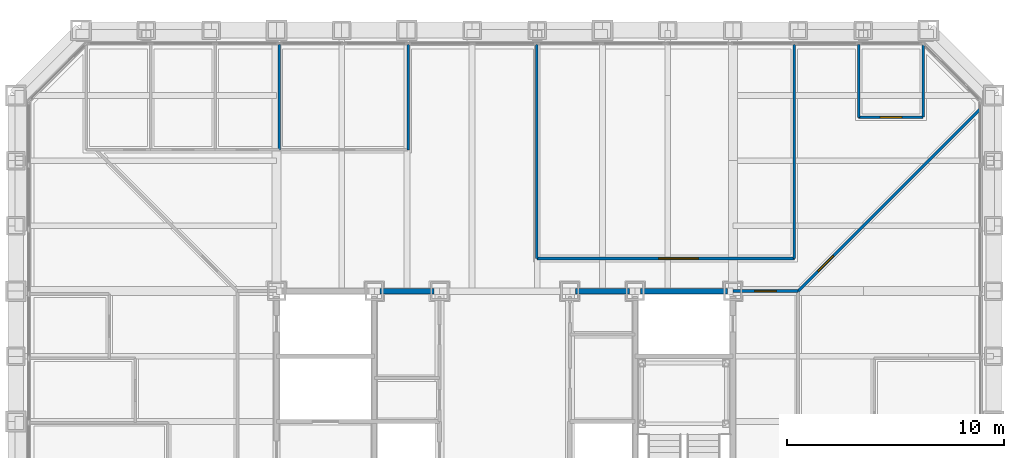
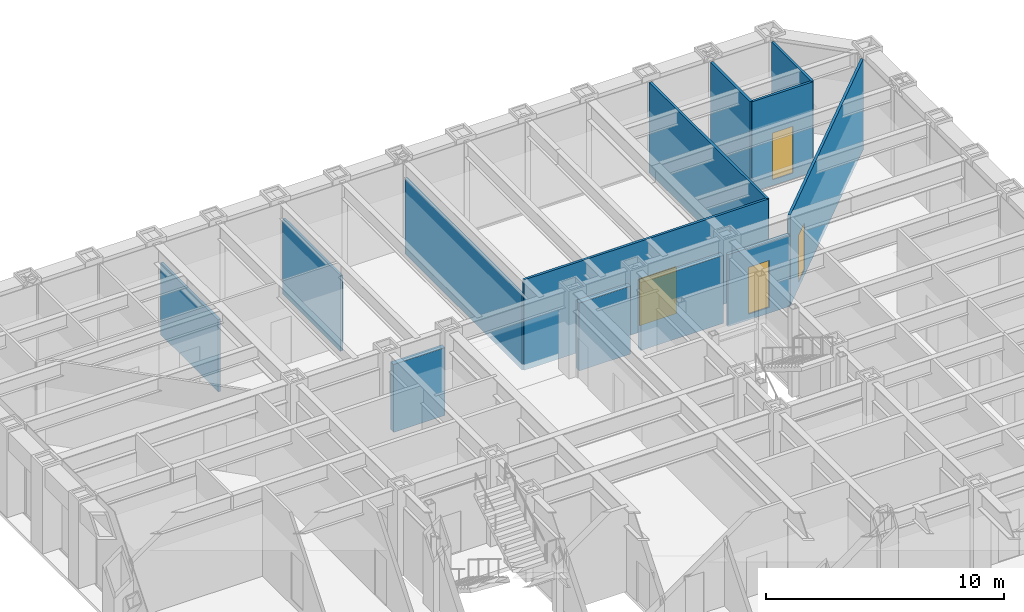
# One storey, part 11 of 17: 13 walls, 4 doors, 4 openings.
"""IFC4 building model written with IfcOpenShell, lengths in metres."""

from ifc_helpers import new_model, si_unit, direction, frame, frame_2d, origin, place, context, subcontext, project, spatial, rectangle, extrude, material, layer, layer_set, type_object, element, fill, save


model = new_model("IFC4")

# Units and contexts
model_context = context("Model", 3, precision=1e-05, world=origin(), true_north=direction((0.0, 1.0)))
body_context = subcontext(model_context, "Body", "Model", "MODEL_VIEW")
ifc_project = project(units=[si_unit("LENGTHUNIT", "METRE"), si_unit("AREAUNIT", "SQUARE_METRE"), si_unit("VOLUMEUNIT", "CUBIC_METRE"), si_unit("PLANEANGLEUNIT", "RADIAN"), si_unit("MASSUNIT", "GRAM", prefix="KILO")], contexts=[model_context])

# Site, building, storey
site_placement = place(None, origin())
site = spatial("IfcSite", under=ifc_project, at=site_placement, CompositionType="ELEMENT")
building_placement = place(site_placement, origin())
building = spatial("IfcBuilding", under=site, at=building_placement, Name="Chuquiago Exchange Tower", CompositionType="ELEMENT")
storey_placement = place(building_placement, frame((0.0, 0.0, 91.800048828125)))
storey = spatial("IfcBuildingStorey", under=building, at=storey_placement, Name="L19", CompositionType="ELEMENT", Elevation=91.800048828125)

# Walls
ifc_material_1 = material(Name="Concrete masonry, fully grouted", Category="masonry")
ifc_layer_1 = layer(ifc_material_1, 0.25)
ifc_layer_set_1 = layer_set([ifc_layer_1], Name="W1 core wall 250")
wall_type_1 = type_object("IfcWallType", Name="W1 core wall 250", PredefinedType="SOLIDWALL", material=ifc_layer_set_1)
for number, where, z_axis, x_axis, name in (
    (1, (16.75, 33.0, 0.0), (0.0, 0.0, 1.0), (1.0, 0.0, 0.0), "CW-L19-11-1"),
    (2, (25.75, 33.0, 0.0), (0.0, 0.0, 1.0), (1.0, 0.0, 0.0), "CW-L19-12-0"),
):
    element("IfcWall", number, at=place(storey_placement, frame(where, z_axis=z_axis, x_axis=x_axis)), inside=storey, type_object=wall_type_1, Name=name, PredefinedType="SOLIDWALL", context=body_context, shape_type="SweptSolid", body=[
        extrude(rectangle(XDim=2.5, YDim=0.25, at=frame_2d((1.25, 0.0))), origin(), (0.0, 0.0, 1.0), 3.4814453125),
    ])
wall_1_placement = place(storey_placement, frame((28.75, 33.0, 0.0), z_axis=(0.0, 0.0, 1.0), x_axis=(1.0, 0.0, 0.0)))
element("IfcWall", 3, at=wall_1_placement, inside=storey, type_object=wall_type_1, Name="CW-L19-12-1", PredefinedType="SOLIDWALL", context=body_context, shape_type="SweptSolid", body=[
    extrude(rectangle(XDim=4.0, YDim=0.25, at=frame_2d((2.0, 0.0))), origin(), (0.0, 0.0, 1.0), 3.4814453125),
])

# Wall, opening, door
ifc_material_2 = material(Name="Gypsum board on steel studs, acoustic insulation", Category="steel")
ifc_layer_2 = layer(ifc_material_2, 0.14990234375)
ifc_layer_set_2 = layer_set([ifc_layer_2], Name="W11 corridor wall 150")
wall_type_2 = type_object("IfcWallType", Name="W11 corridor wall 150", PredefinedType="PARTITIONING", material=ifc_layer_set_2)
wall_2_placement = place(storey_placement, frame((33.0, 33.0, -0.300048828125), z_axis=(0.0, 0.0, 1.0), x_axis=(1.0, 0.0, 0.0)))
wall_2 = element("IfcWall", 4, at=wall_2_placement, inside=storey, type_object=wall_type_2, Name="PW-L19-GEN0", PredefinedType="PARTITIONING", context=body_context, shape_type="SweptSolid", body=[
    extrude(rectangle(XDim=3.0, YDim=0.14990234375, at=frame_2d((1.5, 0.0))), origin(), (0.0, 0.0, 1.0), 3.692626953125),
])
opening_1_placement = place(wall_2_placement, frame((1.0, 0.0, 0.300048828125)))
opening_1 = element("IfcOpeningElement", 5, at=opening_1_placement, cuts=wall_2, Name="Opening L19-046", PredefinedType="OPENING", context=body_context, shape_type="SweptSolid", body=[
    extrude(rectangle(XDim=1.0, YDim=2.39990234375, at=frame_2d((0.5, 1.199951171875))), frame((0.0, 0.0849609375, 0.0), z_axis=(0.0, -1.0, 0.0), x_axis=(1.0, 0.0, 0.0)), (0.0, 0.0, 1.0), 0.169921875),
])
ifc_material_3 = material(Name="Timber door, laminate faced", Category="wood")
door_type_1 = type_object("IfcDoorType", Name="D9 room door 1000x2400", OperationType="SINGLE_SWING_LEFT", PredefinedType="DOOR", material=ifc_material_3)
door_1_placement = place(opening_1_placement, origin())
door_1 = element("IfcDoor", 6, at=door_1_placement, inside=storey, type_object=door_type_1, Name="Team area door", OperationType="SINGLE_SWING_LEFT", OverallHeight=2.39990234375, OverallWidth=1.0, PredefinedType="DOOR", context=body_context, shape_type="SweptSolid", body=[
    extrude(rectangle(XDim=1.0, YDim=2.39990234375, at=frame_2d((0.5, 1.199951171875))), frame((0.0, 0.02490234375, 0.0), z_axis=(0.0, -1.0, 0.0), x_axis=(1.0, 0.0, 0.0)), (0.0, 0.0, 1.0), 0.050048828125),
])
fill(opening_1, door_1)

# Walls
ifc_material_4 = material(Name="Gypsum board on steel studs", Category="steel")
ifc_layer_3 = layer(ifc_material_4, 0.1201171875)
ifc_layer_set_3 = layer_set([ifc_layer_3], Name="W4 partition 120")
wall_type_3 = type_object("IfcWallType", Name="W4 partition 120", PredefinedType="PARTITIONING", material=ifc_layer_set_3)
wall_3_placement = place(storey_placement, frame((12.1337890625, 44.342529296875, -0.300048828125), z_axis=(0.0, 0.0, 1.0), x_axis=(0.0, -1.0, 0.0)))
element("IfcWall", 7, at=wall_3_placement, inside=storey, type_object=wall_type_3, Name="PW-L19-N01213", PredefinedType="PARTITIONING", context=body_context, shape_type="SweptSolid", body=[
    extrude(rectangle(XDim=4.842529296875, YDim=0.1201171875, at=frame_2d((2.42138671875, 0.0))), origin(), (0.0, 0.0, 1.0), 3.692626953125),
])
wall_4_placement = place(storey_placement, frame((18.057373046875, 44.342529296875, -0.300048828125), z_axis=(0.0, 0.0, 1.0), x_axis=(0.0, -1.0, 0.0)))
element("IfcWall", 8, at=wall_4_placement, inside=storey, type_object=wall_type_3, Name="PW-L19-N01806", PredefinedType="PARTITIONING", context=body_context, shape_type="SweptSolid", body=[
    extrude(rectangle(XDim=4.842529296875, YDim=0.1201171875, at=frame_2d((2.42138671875, 0.0))), origin(), (0.0, 0.0, 1.0), 3.8779296875),
])
wall_5_placement = place(storey_placement, frame((23.98095703125, 44.342529296875, -0.300048828125), z_axis=(0.0, 0.0, 1.0), x_axis=(0.0, -1.0, 0.0)))
element("IfcWall", 9, at=wall_5_placement, inside=storey, type_object=wall_type_3, Name="PW-L19-N02398", PredefinedType="PARTITIONING", context=body_context, shape_type="SweptSolid", body=[
    extrude(rectangle(XDim=9.842529296875, YDim=0.1201171875, at=frame_2d((4.92138671875, 0.0))), origin(), (0.0, 0.0, 1.0), 3.8779296875),
])
wall_6_placement = place(storey_placement, frame((35.827880859375, 44.342529296875, -0.300048828125), z_axis=(0.0, 0.0, 1.0), x_axis=(0.0, -1.0, 0.0)))
element("IfcWall", 10, at=wall_6_placement, inside=storey, type_object=wall_type_3, Name="PW-L19-N03583", PredefinedType="PARTITIONING", context=body_context, shape_type="SweptSolid", body=[
    extrude(rectangle(XDim=9.842529296875, YDim=0.1201171875, at=frame_2d((4.92138671875, 0.0))), origin(), (0.0, 0.0, 1.0), 4.639892578125),
])
wall_7_placement = place(storey_placement, frame((38.789794921875, 44.342529296875, -0.300048828125), z_axis=(0.0, 0.0, 1.0), x_axis=(0.0, -1.0, 0.0)))
element("IfcWall", 11, at=wall_7_placement, inside=storey, type_object=wall_type_3, Name="PW-L19-N03879", PredefinedType="PARTITIONING", context=body_context, shape_type="SweptSolid", body=[
    extrude(rectangle(XDim=3.342529296875, YDim=0.1201171875, at=frame_2d((1.67138671875, 0.0))), origin(), (0.0, 0.0, 1.0), 4.639892578125),
])
wall_8_placement = place(storey_placement, frame((41.75146484375, 44.333984375, -0.300048828125), z_axis=(0.0, 0.0, 1.0), x_axis=(0.0, -1.0, 0.0)))
element("IfcWall", 12, at=wall_8_placement, inside=storey, type_object=wall_type_3, Name="PW-L19-N04175", PredefinedType="PARTITIONING", context=body_context, shape_type="SweptSolid", body=[
    extrude(rectangle(XDim=3.333984375, YDim=0.1201171875, at=frame_2d((1.6669921875, 0.0))), origin(), (0.0, 0.0, 1.0), 4.639892578125),
])

# Wall, opening, door
wall_9_placement = place(storey_placement, frame((23.98095703125, 34.5, -0.300048828125), z_axis=(0.0, 0.0, 1.0), x_axis=(1.0, 0.0, 0.0)))
wall_9 = element("IfcWall", 13, at=wall_9_placement, inside=storey, type_object=wall_type_3, Name="PW-L19-NF02398", PredefinedType="PARTITIONING", context=body_context, shape_type="SweptSolid", body=[
    extrude(rectangle(XDim=11.846923828125, YDim=0.1201171875, at=frame_2d((5.92333984375, 0.0))), origin(), (0.0, 0.0, 1.0), 4.639892578125),
])
opening_2_placement = place(wall_9_placement, frame((5.615966796875, 0.0, 0.300048828125)))
opening_2 = element("IfcOpeningElement", 14, at=opening_2_placement, cuts=wall_9, Name="Opening L19-037", PredefinedType="OPENING", context=body_context, shape_type="SweptSolid", body=[
    extrude(rectangle(XDim=1.800048828125, YDim=2.39990234375, at=frame_2d((0.89990234375, 1.199951171875))), frame((0.0, 0.070068359375, 0.0), z_axis=(0.0, -1.0, 0.0), x_axis=(1.0, 0.0, 0.0)), (0.0, 0.0, 1.0), 0.14013671875),
])
ifc_material_5 = material(Name="Timber door pair, laminate faced", Category="wood")
door_type_2 = type_object("IfcDoorType", Name="D15 double room door 1800x2400", OperationType="DOUBLE_DOOR_DOUBLE_SWING", PredefinedType="DOOR", material=ifc_material_5)
door_2_placement = place(opening_2_placement, origin())
door_2 = element("IfcDoor", 15, at=door_2_placement, inside=storey, type_object=door_type_2, Name="Trading room door", OperationType="DOUBLE_DOOR_DOUBLE_SWING", OverallHeight=2.39990234375, OverallWidth=1.800048828125, PredefinedType="DOOR", context=body_context, shape_type="SweptSolid", body=[
    extrude(rectangle(XDim=1.800048828125, YDim=2.39990234375, at=frame_2d((0.89990234375, 1.199951171875))), frame((0.0, 0.02490234375, 0.0), z_axis=(0.0, -1.0, 0.0), x_axis=(1.0, 0.0, 0.0)), (0.0, 0.0, 1.0), 0.050048828125),
])
fill(opening_2, door_2)

wall_10_placement = place(storey_placement, frame((38.789794921875, 41.0, -0.300048828125), z_axis=(0.0, 0.0, 1.0), x_axis=(1.0, 0.0, 0.0)))
wall_10 = element("IfcWall", 16, at=wall_10_placement, inside=storey, type_object=wall_type_3, Name="PW-L19-NF03879", PredefinedType="PARTITIONING", context=body_context, shape_type="SweptSolid", body=[
    extrude(rectangle(XDim=2.961669921875, YDim=0.1201171875, at=frame_2d((1.48095703125, 0.0))), origin(), (0.0, 0.0, 1.0), 4.639892578125),
])
opening_3_placement = place(wall_10_placement, frame((0.98095703125, 0.0, 0.300048828125)))
opening_3 = element("IfcOpeningElement", 17, at=opening_3_placement, cuts=wall_10, Name="Opening L19-038", PredefinedType="OPENING", context=body_context, shape_type="SweptSolid", body=[
    extrude(rectangle(XDim=1.0, YDim=2.39990234375, at=frame_2d((0.5, 1.199951171875))), frame((0.0, 0.070068359375, 0.0), z_axis=(0.0, -1.0, 0.0), x_axis=(1.0, 0.0, 0.0)), (0.0, 0.0, 1.0), 0.14013671875),
])
door_3_placement = place(opening_3_placement, origin())
door_3 = element("IfcDoor", 18, at=door_3_placement, inside=storey, type_object=door_type_1, Name="Store door", OperationType="SINGLE_SWING_RIGHT", OverallHeight=2.39990234375, OverallWidth=1.0, PredefinedType="DOOR", context=body_context, shape_type="SweptSolid", body=[
    extrude(rectangle(XDim=1.0, YDim=2.39990234375, at=frame_2d((0.5, 1.199951171875))), frame((0.0, 0.02490234375, 0.0), z_axis=(0.0, -1.0, 0.0), x_axis=(1.0, 0.0, 0.0)), (0.0, 0.0, 1.0), 0.050048828125),
])
fill(opening_3, door_3)

wall_11_placement = place(storey_placement, frame((36.0, 33.0, -0.300048828125), z_axis=(0.0, 0.0, 1.0), x_axis=(0.707106781187, 0.707106781187, 0.0)))
wall_11 = element("IfcWall", 19, at=wall_11_placement, inside=storey, type_object=wall_type_3, Name="PW-L19-QNE", PredefinedType="PARTITIONING", context=body_context, shape_type="SweptSolid", body=[
    extrude(rectangle(XDim=11.84228515625, YDim=0.1201171875, at=frame_2d((5.921142578125, 0.0))), origin(), (0.0, 0.0, 1.0), 4.639892578125),
])
opening_4_placement = place(wall_11_placement, frame((1.300048828125, 0.0, 0.300048828125)))
opening_4 = element("IfcOpeningElement", 20, at=opening_4_placement, cuts=wall_11, Name="Opening L19-048", PredefinedType="OPENING", context=body_context, shape_type="SweptSolid", body=[
    extrude(rectangle(XDim=1.0, YDim=2.39990234375, at=frame_2d((0.5, 1.199951171875))), frame((0.0, 0.070068359375, 0.0), z_axis=(0.0, -1.0, 0.0), x_axis=(1.0, 0.0, 0.0)), (0.0, 0.0, 1.0), 0.14013671875),
])
door_4_placement = place(opening_4_placement, frame((1.0, 0.0, 0.0), z_axis=(0.0, 0.0, 1.0), x_axis=(-1.0, 0.0, 0.0)))
door_4 = element("IfcDoor", 21, at=door_4_placement, inside=storey, type_object=door_type_1, Name="Team area door", OperationType="SINGLE_SWING_RIGHT", OverallHeight=2.39990234375, OverallWidth=1.0, PredefinedType="DOOR", context=body_context, shape_type="SweptSolid", body=[
    extrude(rectangle(XDim=1.0, YDim=2.39990234375, at=frame_2d((0.5, 1.199951171875))), frame((0.0, 0.02490234375, 0.0), z_axis=(0.0, -1.0, 0.0), x_axis=(1.0, 0.0, 0.0)), (0.0, 0.0, 1.0), 0.050048828125),
])
fill(opening_4, door_4)

save(model, "model.ifc")
